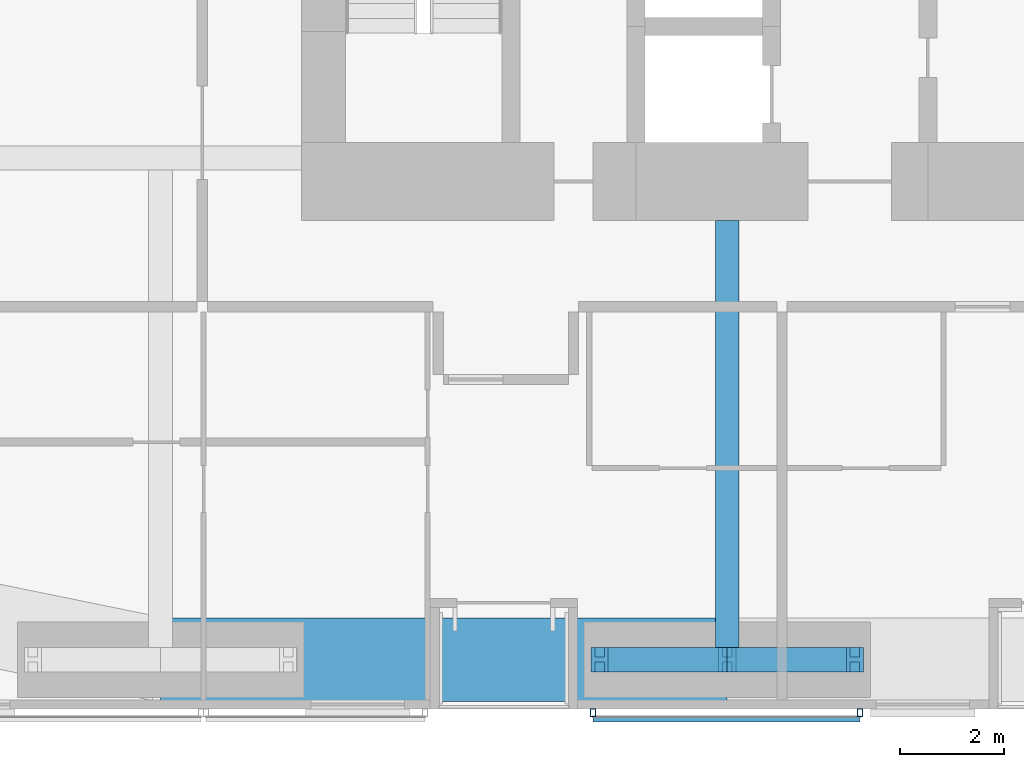
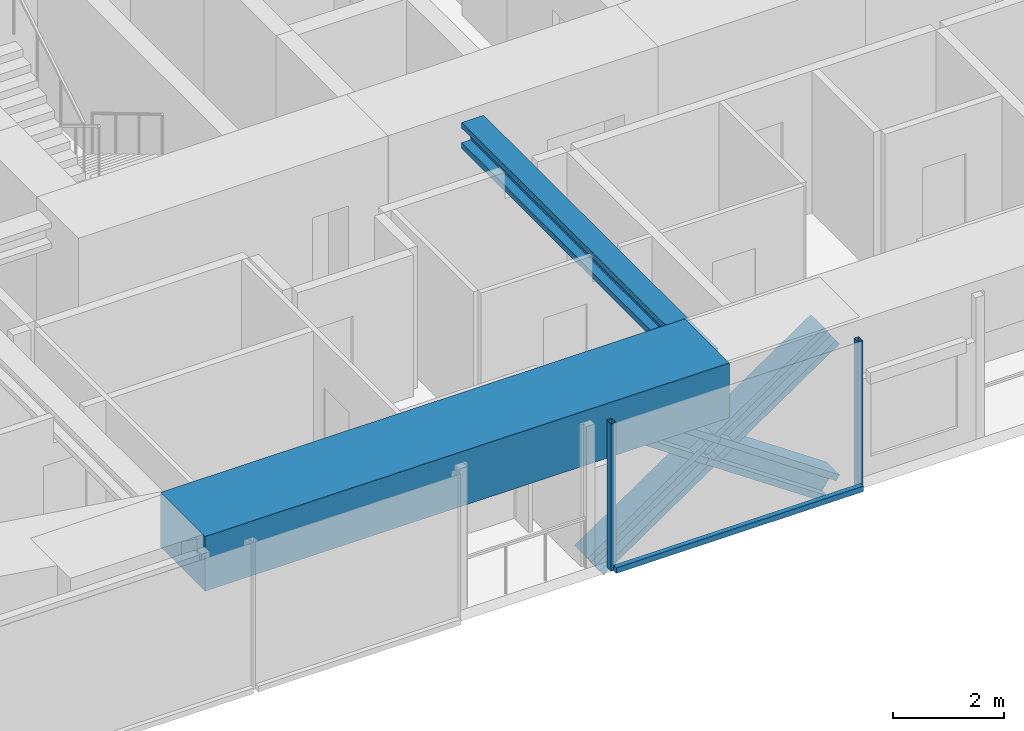
# One storey, part 5 of 25: 7 members, 2 beams, 1 element without a shape of its own.
"""IFC4 building model written with IfcOpenShell, lengths in metres."""

from ifc_helpers import new_model, si_unit, direction, frame, origin, origin_2d, place, context, subcontext, project, spatial, rectangle, hollow_rectangle, i_section, extrude, material, material_profile, profile_set, type_object, element, aggregate, save


model = new_model("IFC4")

# Units and contexts
model_context = context("Model", 3, precision=1e-05, world=origin(), true_north=direction((0.0, 1.0)))
body_context = subcontext(model_context, "Body", "Model", "MODEL_VIEW")
ifc_project = project(units=[si_unit("LENGTHUNIT", "METRE"), si_unit("AREAUNIT", "SQUARE_METRE"), si_unit("VOLUMEUNIT", "CUBIC_METRE"), si_unit("PLANEANGLEUNIT", "RADIAN"), si_unit("MASSUNIT", "GRAM", prefix="KILO")], contexts=[model_context])

# Site, building, storey
site_placement = place(None, origin())
site = spatial("IfcSite", under=ifc_project, at=site_placement, CompositionType="ELEMENT")
building_placement = place(site_placement, origin())
building = spatial("IfcBuilding", under=site, at=building_placement, Name="Jalousie Tower", CompositionType="ELEMENT")
storey_placement = place(building_placement, frame((0.0, 0.0, 101.5)))
storey = spatial("IfcBuildingStorey", under=building, at=storey_placement, Name="L27", CompositionType="ELEMENT", Elevation=101.5)

# Beam
ifc_material_1 = material(Name="Steel ASTM A992 Grade 50", Category="steel")
ifc_material_profile_1 = material_profile(ifc_material_1, i_section(OverallWidth=0.45458984375, OverallDepth=0.569091796875, WebThickness=0.077880859375, FlangeThickness=0.124755859375, at=origin_2d()), Name="W14X730")
ifc_profile_set_1 = profile_set([ifc_material_profile_1], Name="Steel ASTM A992 Grade 50")
beam_type_1 = type_object("IfcBeamType", Name="LEAN COLLECTOR W14X730", PredefinedType="BEAM", material=ifc_profile_set_1)
beam_1_placement = place(storey_placement, frame((27.75, 0.949951171875, 2.825439453125), z_axis=(0.0, 1.0, 0.0), x_axis=(-1.0, 0.0, 0.0)))
element("IfcBeam", 1, at=beam_1_placement, inside=storey, type_object=beam_type_1, Name="Lean collector under L28", PredefinedType="BEAM", context=body_context, shape_type="SweptSolid", body=[
    extrude(i_section(OverallWidth=0.45458984375, OverallDepth=0.569091796875, WebThickness=0.077880859375, FlangeThickness=0.124755859375, at=origin_2d()), origin(), (0.0, 0.0, 1.0), 8.425048828125),
])

# Members
ifc_material_2 = material(Name="Steel ASTM A992 Grade 50", Category="steel")
ifc_material_profile_2 = material_profile(ifc_material_2, i_section(OverallWidth=0.472412109375, OverallDepth=0.5791015625, WebThickness=0.094970703125, FlangeThickness=0.1298828125, at=origin_2d()), Name="W14X808")
ifc_profile_set_2 = profile_set([ifc_material_profile_2], Name="Steel ASTM A992 Grade 50")
member_type_1 = type_object("IfcMemberType", Name="PERIMETER BRACE W14X808", PredefinedType="BRACE", material=ifc_profile_set_2)
for number, where, z_axis, x_axis, name in (
    (2, (25.300048828125, 0.949951171875, -0.60009765625), (0.825500916831, 0.0, 0.564400776321), (0.0, 1.0, 0.0), "Perimeter brace 03 L27 part 1"),
    (3, (27.75, 0.949951171875, 1.074951171875), (0.825500916831, 0.0, 0.564400776321), (0.0, 1.0, 0.0), "Perimeter brace 03 L27 part 2"),
    (4, (30.199951171875, 0.949951171875, -0.60009765625), (-0.825500916831, 0.0, 0.564400776321), (0.0, -1.0, 0.0), "Perimeter brace 03 L27 part 3"),
    (5, (27.75, 0.949951171875, 1.074951171875), (-0.825500916831, 0.0, 0.564400776321), (0.0, -1.0, 0.0), "Perimeter brace 03 L27 part 4"),
):
    element("IfcMember", number, at=place(storey_placement, frame(where, z_axis=z_axis, x_axis=x_axis)), inside=storey, type_object=member_type_1, Name=name, PredefinedType="BRACE", context=body_context, shape_type="SweptSolid", body=[
        extrude(i_section(OverallWidth=0.472412109375, OverallDepth=0.5791015625, WebThickness=0.094970703125, FlangeThickness=0.1298828125, at=origin_2d()), origin(), (0.0, 0.0, 1.0), 2.9677734375),
    ])

# Beam
ifc_material_3 = material(Name="Concrete f'c 40 MPa", Category="concrete")
ifc_material_profile_3 = material_profile(ifc_material_3, rectangle(XDim=1.60009765625, YDim=1.199951171875, at=origin_2d()), Name="RC 1600x1200")
ifc_profile_set_3 = profile_set([ifc_material_profile_3], Name="Concrete f'c 40 MPa")
beam_type_2 = type_object("IfcBeamType", Name="RC BEAM 1600x1200", PredefinedType="BEAM", material=ifc_profile_set_3)
beam_2_placement = place(storey_placement, frame((16.875, 0.949951171875, 2.75), z_axis=(1.0, 0.0, 0.0), x_axis=(0.0, 1.0, 0.0)))
element("IfcBeam", 6, at=beam_2_placement, inside=storey, type_object=beam_type_2, Name="Edge band beam 02-03 under L28", PredefinedType="BEAM", context=body_context, shape_type="SweptSolid", body=[
    extrude(rectangle(XDim=1.60009765625, YDim=1.199951171875, at=origin_2d()), origin(), (0.0, 0.0, 1.0), 10.875),
])

# Curtain wall, members
ifc_material_4 = material(Name="Perforated aluminium sheet", Category="aluminium")
curtain_wall_type = type_object("IfcCurtainWallType", Name="SOLAR SCREEN SS-1", PredefinedType="USERDEFINED", material=ifc_material_4)
curtain_wall_placement = place(storey_placement, origin())
curtain_wall = element("IfcCurtainWall", 7, at=curtain_wall_placement, inside=storey, type_object=curtain_wall_type, Name="Solar screen L27", ObjectType="SOLAR SCREEN SS-1", PredefinedType="USERDEFINED")
ifc_material_5 = material(Name="Steel ASTM A500 Grade C", Category="steel")
ifc_material_profile_4 = material_profile(ifc_material_5, hollow_rectangle(XDim=0.1015625, YDim=0.15234375, WallThickness=0.00634765625, at=origin_2d()), Name="HSS6X4X1/4")
ifc_profile_set_4 = profile_set([ifc_material_profile_4], Name="Steel ASTM A500 Grade C")
member_type_2 = type_object("IfcMemberType", Name="SOLAR SCREEN SS-1 MULLION", PredefinedType="MULLION", material=ifc_profile_set_4)
member_1_placement = place(storey_placement, frame((25.175048828125, -0.0712890625, -0.1201171875), z_axis=(0.0, 0.0, 1.0), x_axis=(1.0, 0.0, 0.0)))
member_1 = element("IfcMember", 8, at=member_1_placement, type_object=member_type_2, Name="SS1 post 1", PredefinedType="MULLION", context=body_context, shape_type="SweptSolid", body=[
    extrude(hollow_rectangle(XDim=0.1015625, YDim=0.15234375, WallThickness=0.00634765625, at=origin_2d()), origin(), (0.0, 0.0, 1.0), 3.230224609375),
])
member_2_placement = place(storey_placement, frame((30.300048828125, -0.0712890625, -0.1201171875), z_axis=(0.0, 0.0, 1.0), x_axis=(1.0, 0.0, 0.0)))
member_2 = element("IfcMember", 9, at=member_2_placement, type_object=member_type_2, Name="SS1 post 2", PredefinedType="MULLION", context=body_context, shape_type="SweptSolid", body=[
    extrude(hollow_rectangle(XDim=0.1015625, YDim=0.15234375, WallThickness=0.00634765625, at=origin_2d()), origin(), (0.0, 0.0, 1.0), 3.230224609375),
])
ifc_material_6 = material(Name="Extruded aluminium screen rail", Category="aluminium")
ifc_material_profile_5 = material_profile(ifc_material_6, rectangle(XDim=0.1015625, YDim=0.1201171875, at=origin_2d()), Name="RAIL 102x120")
ifc_profile_set_5 = profile_set([ifc_material_profile_5], Name="Extruded aluminium screen rail")
member_type_3 = type_object("IfcMemberType", Name="SOLAR SCREEN SS-1 TRANSOM", PredefinedType="USERDEFINED", material=ifc_profile_set_5)
member_3_placement = place(storey_placement, frame((25.175048828125, -0.1982421875, -0.06005859375), z_axis=(1.0, 0.0, 0.0), x_axis=(0.0, 1.0, 0.0)))
member_3 = element("IfcMember", 10, at=member_3_placement, type_object=member_type_3, Name="SS1 rail", ObjectType="TRANSOM", PredefinedType="USERDEFINED", context=body_context, shape_type="SweptSolid", body=[
    extrude(rectangle(XDim=0.1015625, YDim=0.1201171875, at=origin_2d()), origin(), (0.0, 0.0, 1.0), 5.125),
])
aggregate(curtain_wall, [member_1, member_2, member_3])

save(model, "model.ifc")
